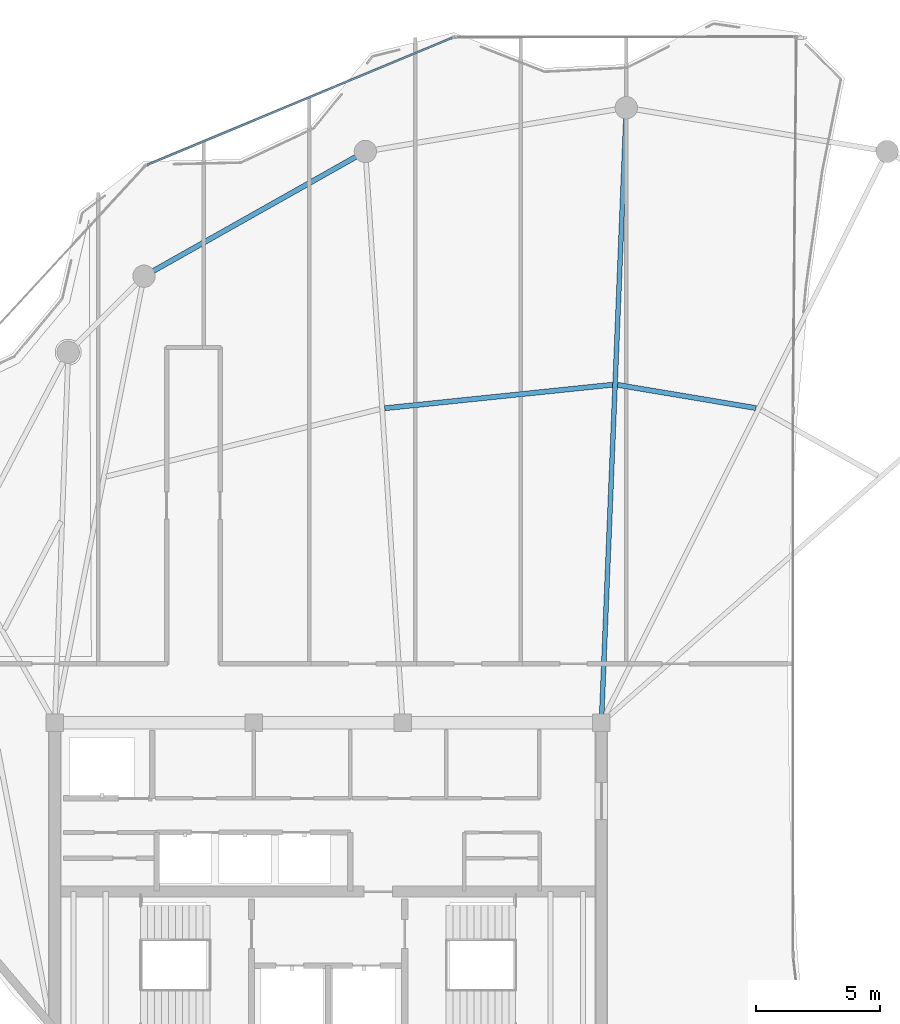
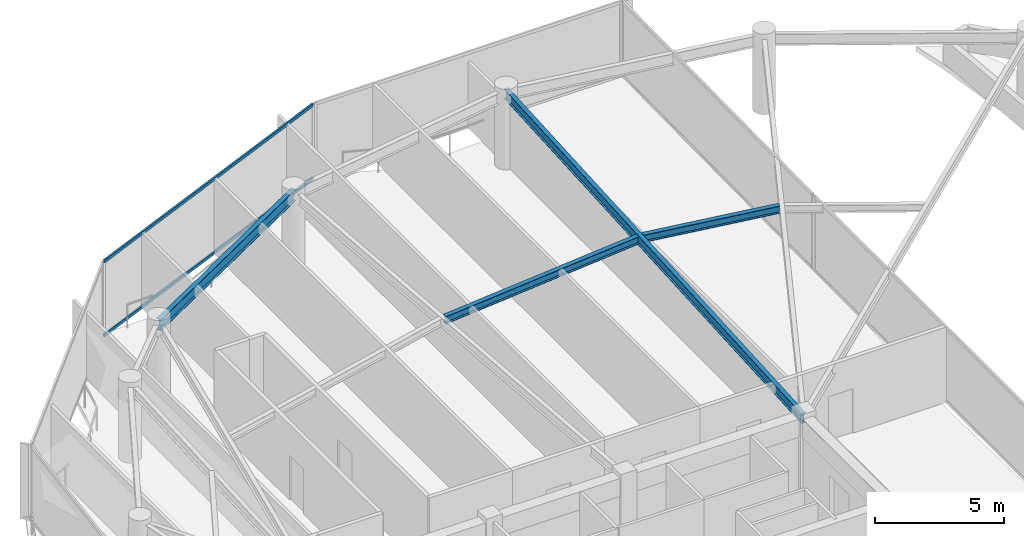
# One storey, part 15 of 23: 4 beams, 2 members, 1 element without a shape of its own.
"""IFC4 building model written with IfcOpenShell, lengths in metres."""

from ifc_helpers import new_model, si_unit, direction, frame, origin, origin_2d, place, context, subcontext, project, spatial, hollow_rectangle, i_section, extrude, material, layer, layer_set, material_profile, profile_set, type_object, element, aggregate, save


model = new_model("IFC4")

# Units and contexts
model_context = context("Model", 3, precision=1e-05, world=origin(), true_north=direction((0.0, 1.0)))
body_context = subcontext(model_context, "Body", "Model", "MODEL_VIEW")
ifc_project = project(units=[si_unit("LENGTHUNIT", "METRE"), si_unit("AREAUNIT", "SQUARE_METRE"), si_unit("VOLUMEUNIT", "CUBIC_METRE"), si_unit("PLANEANGLEUNIT", "RADIAN"), si_unit("MASSUNIT", "GRAM", prefix="KILO")], contexts=[model_context])

# Site, building, storey
site_placement = place(None, origin())
site = spatial("IfcSite", under=ifc_project, at=site_placement, CompositionType="ELEMENT")
building_placement = place(site_placement, origin())
building = spatial("IfcBuilding", under=site, at=building_placement, Name="Kazevale Care Tower and Concert Hall", CompositionType="ELEMENT")
storey_placement = place(building_placement, frame((0.0, 0.0, 270.0)))
storey = spatial("IfcBuildingStorey", under=building, at=storey_placement, Name="L71", CompositionType="ELEMENT", Elevation=270.0)

# Curtain wall, members
ifc_material_1 = material(Name="Aluminium 6063-T6 and Low-E Glass", Category="aluminium")
ifc_layer = layer(ifc_material_1, 0.179931640625)
ifc_layer_set = layer_set([ifc_layer], Name="Aluminium 6063-T6 and Low-E Glass")
curtain_wall_type = type_object("IfcCurtainWallType", Name="Waist & Upper Residential Curtain Wall CW-4", PredefinedType="NOTDEFINED", material=ifc_layer_set)
curtain_wall_placement = place(storey_placement, origin())
curtain_wall = element("IfcCurtainWall", 1, at=curtain_wall_placement, inside=storey, type_object=curtain_wall_type, Name="cw:L71:f11", PredefinedType="NOTDEFINED")
ifc_material_2 = material(Name="Aluminium 6063-T6", Category="aluminium")
ifc_material_profile_1 = material_profile(ifc_material_2, hollow_rectangle(XDim=0.080078125, YDim=0.139892578125, WallThickness=0.00390625, at=origin_2d()), Name="ALU80x140x4")
ifc_profile_set_1 = profile_set([ifc_material_profile_1], Name="Aluminium 6063-T6")
member_type = type_object("IfcMemberType", Name="CW-4 Transom ALU80x140x4", PredefinedType="USERDEFINED", material=ifc_profile_set_1)
member_1_placement = place(storey_placement, frame((25.71484375, 58.8447265625, 0.0400390625), z_axis=(0.923045940802, 0.384689733642, 0.0), x_axis=(-0.384689733642, 0.923045940802, 0.0)))
member_1 = element("IfcMember", 2, at=member_1_placement, type_object=member_type, Name="CW-4 transom 1.1", ObjectType="TRANSOM", PredefinedType="USERDEFINED", context=body_context, shape_type="SweptSolid", body=[
    extrude(hollow_rectangle(XDim=0.080078125, YDim=0.139892578125, WallThickness=0.00390625, at=origin_2d()), origin(), (0.0, 0.0, 1.0), 13.2900390625),
])
member_2_placement = place(storey_placement, frame((25.71484375, 58.8447265625, 3.52001953125), z_axis=(0.923045940802, 0.384689733642, 0.0), x_axis=(-0.384689733642, 0.923045940802, 0.0)))
member_2 = element("IfcMember", 3, at=member_2_placement, type_object=member_type, Name="CW-4 transom 1.2", ObjectType="TRANSOM", PredefinedType="USERDEFINED", context=body_context, shape_type="SweptSolid", body=[
    extrude(hollow_rectangle(XDim=0.080078125, YDim=0.139892578125, WallThickness=0.00390625, at=origin_2d()), origin(), (0.0, 0.0, 1.0), 13.2900390625),
])
aggregate(curtain_wall, [member_1, member_2])

# Beams
ifc_material_3 = material(Name="Steel ASTM A572 Gr 50", Category="steel")
ifc_material_profile_2 = material_profile(ifc_material_3, i_section(OverallWidth=0.19091796875, OverallDepth=0.4599609375, WebThickness=0.010009765625, FlangeThickness=0.01611328125, at=origin_2d()), Name="W460x82")
ifc_profile_set_2 = profile_set([ifc_material_profile_2], Name="Steel ASTM A572 Gr 50")
beam_type_1 = type_object("IfcBeamType", Name="Radial Floor Beam W460x82", PredefinedType="BEAM", material=ifc_profile_set_2)
beam_1_placement = place(storey_placement, frame((44.0, 36.39990234375, 3.330078125), z_axis=(0.040371101203, 0.999184754781, 0.0), x_axis=(-0.999184754781, 0.040371101203, 0.0)))
element("IfcBeam", 4, at=beam_1_placement, inside=storey, type_object=beam_type_1, Name="beam:L71:rad:05", PredefinedType="BEAM", context=body_context, shape_type="SweptSolid", body=[
    extrude(i_section(OverallWidth=0.19091796875, OverallDepth=0.4599609375, WebThickness=0.010009765625, FlangeThickness=0.01611328125, at=origin_2d()), origin(), (0.0, 0.0, 1.0), 24.770263671875),
])
ifc_material_profile_3 = material_profile(ifc_material_3, i_section(OverallWidth=0.205078125, OverallDepth=0.35400390625, WebThickness=0.009521484375, FlangeThickness=0.016845703125, at=origin_2d()), Name="W360x79")
ifc_profile_set_3 = profile_set([ifc_material_profile_3], Name="Steel ASTM A572 Gr 50")
beam_type_2 = type_object("IfcBeamType", Name="Secondary Floor Joist W360x79", PredefinedType="JOIST", material=ifc_profile_set_3)
beam_2_placement = place(storey_placement, frame((50.220947265625, 49.06201171875, 3.383056640625), z_axis=(-0.986241534462, 0.165310724705, 0.0), x_axis=(-0.165310724705, -0.986241534462, 0.0)))
element("IfcBeam", 5, at=beam_2_placement, inside=storey, type_object=beam_type_2, Name="beam:L71:joist:04", PredefinedType="JOIST", context=body_context, shape_type="SweptSolid", body=[
    extrude(i_section(OverallWidth=0.205078125, OverallDepth=0.35400390625, WebThickness=0.009521484375, FlangeThickness=0.016845703125, at=origin_2d()), origin(), (0.0, 0.0, 1.0), 5.64453125),
])
beam_3_placement = place(storey_placement, frame((44.446044921875, 50.001953125, 3.383056640625), z_axis=(-0.994706089671, -0.10276086401, 0.0), x_axis=(0.10276086401, -0.994706089671, 0.0)))
element("IfcBeam", 6, at=beam_3_placement, inside=storey, type_object=beam_type_2, Name="beam:L71:joist:05", PredefinedType="JOIST", context=body_context, shape_type="SweptSolid", body=[
    extrude(i_section(OverallWidth=0.205078125, OverallDepth=0.35400390625, WebThickness=0.009521484375, FlangeThickness=0.016845703125, at=origin_2d()), origin(), (0.0, 0.0, 1.0), 9.2158203125),
])
ifc_material_profile_4 = material_profile(ifc_material_3, i_section(OverallWidth=0.208984375, OverallDepth=0.532958984375, WebThickness=0.01025390625, FlangeThickness=0.015625, at=origin_2d()), Name="W530x92")
ifc_profile_set_4 = profile_set([ifc_material_profile_4], Name="Steel ASTM A572 Gr 50")
beam_type_3 = type_object("IfcBeamType", Name="Upper Ring Beam W530x92", PredefinedType="BEAM", material=ifc_profile_set_4)
beam_4_placement = place(storey_placement, frame((34.5, 59.389892578125, 3.29345703125), z_axis=(-0.871243170179, -0.490851646035, 0.0), x_axis=(0.490851646035, -0.871243170179, 0.0)))
element("IfcBeam", 7, at=beam_4_placement, inside=storey, type_object=beam_type_3, Name="beam:L71:ring:06", PredefinedType="BEAM", context=body_context, shape_type="SweptSolid", body=[
    extrude(i_section(OverallWidth=0.208984375, OverallDepth=0.532958984375, WebThickness=0.01025390625, FlangeThickness=0.015625, at=origin_2d()), origin(), (0.0, 0.0, 1.0), 10.2265625),
])

save(model, "model.ifc")
